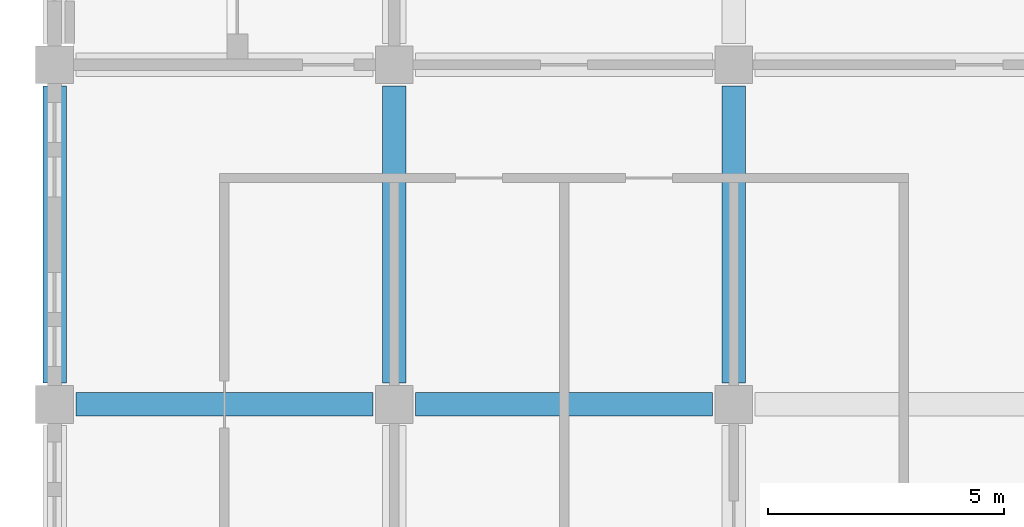
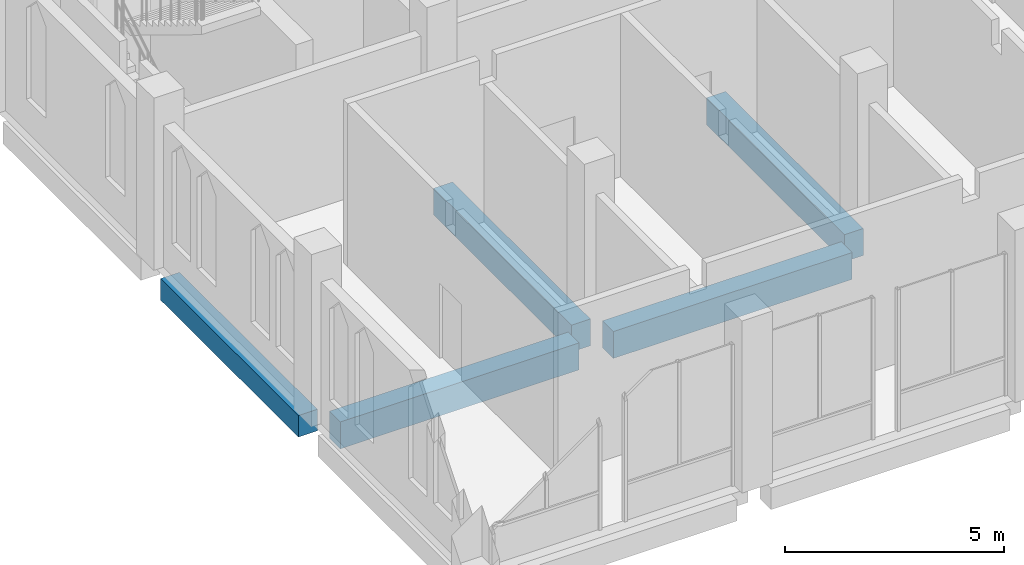
# One storey, part 9 of 31: 5 beams.
"""IFC4 building model written with IfcOpenShell, lengths in metres."""

import ifcopenshell
import ifcopenshell.guid

model = None  # the IFC model being written
_history = None  # IfcOwnerHistory: only IFC2X3 demands one
_inside = {}  # id of a spatial element -> (the spatial element, [elements in it])
_under = {}  # id of a project, library or spatial element -> (it, [spatial elements below it])
_declared = {}  # id of a project -> (the project, [libraries it declares])
_typed = {}  # id of a type object -> (the type object, [elements of that type])
_made_of = {}  # id of a material, layer set ... -> (it, [elements and type objects made of it])


def new_model(schema):
    """Start an empty IFC model of exactly this schema.

    Asked for "IFC4X3", IfcOpenShell would pick the latest addendum, in which some entities
    have other attributes; the version numbers below select the first issue.
    IFC2X3 requires an IfcOwnerHistory on every rooted entity: one is made here for all.
    """
    global model, _history
    if schema == "IFC4X3":
        model = ifcopenshell.file(schema_version=(4, 3, 0, 0))
    else:
        model = ifcopenshell.file(schema=schema)
    _inside.clear()
    _under.clear()
    _declared.clear()
    _typed.clear()
    _made_of.clear()
    _history = None
    if model.schema == "IFC2X3":
        org = make("IfcOrganization", Name="unknown")
        user = make(
            "IfcPersonAndOrganization",
            ThePerson=make("IfcPerson", FamilyName="unknown"),
            TheOrganization=org,
        )
        app = make(
            "IfcApplication",
            ApplicationDeveloper=org,
            Version="unknown",
            ApplicationFullName="unknown",
            ApplicationIdentifier="unknown",
        )
        _history = make(
            "IfcOwnerHistory",
            OwningUser=user,
            OwningApplication=app,
            ChangeAction="ADDED",
            CreationDate=0,
        )
    return model


def make(cls, **values):
    """One entity of the class cls with the attributes given. An attribute that is None is left unset."""
    return model.create_entity(
        cls, **{name: value for name, value in values.items() if value is not None}
    )


def rooted(cls, **values):
    """An entity with a GlobalId (a new one), such as an element, a storey or a relation."""
    return make(cls, GlobalId=ifcopenshell.guid.new(), OwnerHistory=_history, **values)


def si_unit(unit_type, name, prefix=None):
    """IfcSIUnit, for example si_unit("LENGTHUNIT", "METRE", prefix="MILLI")."""
    return make("IfcSIUnit", UnitType=unit_type, Prefix=prefix, Name=name)


def assignment(units):
    """IfcUnitAssignment: the units of a project."""
    return None if units is None else make("IfcUnitAssignment", Units=units)


def point(xyz):
    """IfcCartesianPoint."""
    return None if xyz is None else make("IfcCartesianPoint", Coordinates=xyz)


def direction(xyz):
    """IfcDirection."""
    return None if xyz is None else make("IfcDirection", DirectionRatios=xyz)


def frame(location, z_axis=None, x_axis=None):
    """IfcAxis2Placement3D, a coordinate frame: its origin and axes. An axis left out is left unset."""
    return make(
        "IfcAxis2Placement3D",
        Location=point(location),
        Axis=direction(z_axis),
        RefDirection=direction(x_axis),
    )


def frame_2d(location, x_axis=None):
    """IfcAxis2Placement2D, a coordinate frame in the plane: its origin and x axis."""
    return make(
        "IfcAxis2Placement2D", Location=point(location), RefDirection=direction(x_axis)
    )


def origin():
    """The frame at (0, 0, 0) with its axes left unset."""
    return frame((0.0, 0.0, 0.0))


def origin_2d():
    """The frame at (0, 0) in the plane with its x axis left unset."""
    return frame_2d((0.0, 0.0))


def place(relative_to, where):
    """IfcLocalPlacement: puts the frame where relative to a parent placement (None: the world)."""
    return make(
        "IfcLocalPlacement", PlacementRelTo=relative_to, RelativePlacement=where
    )


def context(
    kind, dimensions, precision=None, world=None, true_north=None, identifier=None
):
    """IfcGeometricRepresentationContext, for example the 3D "Model" context."""
    return make(
        "IfcGeometricRepresentationContext",
        ContextIdentifier=identifier,
        ContextType=kind,
        CoordinateSpaceDimension=dimensions,
        Precision=precision,
        WorldCoordinateSystem=world,
        TrueNorth=true_north,
    )


def subcontext(parent, identifier, kind, view, scale=None):
    """IfcGeometricRepresentationSubContext, for example "Body" below "Model"."""
    return make(
        "IfcGeometricRepresentationSubContext",
        ContextIdentifier=identifier,
        ContextType=kind,
        ParentContext=parent,
        TargetScale=scale,
        TargetView=view,
    )


def project(units=None, contexts=None):
    """IfcProject with its units and contexts."""
    return rooted(
        "IfcProject",
        Name="project",
        RepresentationContexts=contexts,
        UnitsInContext=assignment(units),
    )


def spatial(cls, under=None, at=None, **own):
    """A site, building, storey or space (cls), placed at a placement, below another one or the project."""
    s = rooted(cls, ObjectPlacement=at, **own)
    if under is not None:
        _under.setdefault(under.id(), (under, []))[1].append(s)
    return s


def profile(cls, at=None, kind="AREA", **sizes):
    """A parametric profile (cls). Its sizes go by their IFC names, for example OverallWidth=200.0."""
    return make(cls, ProfileType=kind, Position=at, **sizes)


def rectangle(**sizes):
    """IfcRectangleProfileDef."""
    return profile("IfcRectangleProfileDef", **sizes)


def extrude(swept, where, along, depth):
    """IfcExtrudedAreaSolid: the profile swept, set in the frame where, extruded along a direction by depth."""
    return make(
        "IfcExtrudedAreaSolid",
        SweptArea=swept,
        Position=where,
        ExtrudedDirection=direction(along),
        Depth=depth,
    )


def shape(context_of_items, identifier, shape_type, items):
    """IfcShapeRepresentation: the items that make up one representation, for example the "Body"."""
    return make(
        "IfcShapeRepresentation",
        ContextOfItems=context_of_items,
        RepresentationIdentifier=identifier,
        RepresentationType=shape_type,
        Items=items,
    )


def material(Name=None, Category=None):
    """IfcMaterial."""
    return make("IfcMaterial", Name=Name, Category=Category)


def material_profile(
    of_material, cross_section, Name=None, Category=None, Priority=None
):
    """IfcMaterialProfile: a cross section and its material."""
    return make(
        "IfcMaterialProfile",
        Name=Name,
        Material=of_material,
        Profile=cross_section,
        Priority=Priority,
        Category=Category,
    )


def profile_set(profiles, Name=None, composite=None):
    """IfcMaterialProfileSet."""
    return make(
        "IfcMaterialProfileSet",
        Name=Name,
        MaterialProfiles=profiles,
        CompositeProfile=composite,
    )


def made_of(thing, what):
    """Note that an element or type object is made of a material, layer set ...; save() writes the relation."""
    if what is not None:
        _made_of.setdefault(what.id(), (what, []))[1].append(thing)
    return thing


def type_object(cls, material=None, **own):
    """A type object (cls), such as IfcWallType, which elements share."""
    return made_of(rooted(cls, **own), material)


def element(
    cls,
    number,
    at=None,
    inside=None,
    cuts=None,
    type_object=None,
    material=None,
    context=None,
    identifier="Body",
    shape_type=None,
    held_by="IfcProductDefinitionShape",
    body=None,
    shapes=None,
    **own,
):
    """One element of the class cls, such as IfcWall. Its Tag is "e" and its number.

    at: its placement. inside: the storey or other place that contains it. cuts: it is an
    opening in that element (IfcRelVoidsElement). A single representation is given by context,
    identifier, shape_type and body (its items); several are given by shapes. held_by: the class
    of the entity that holds the representations. save() writes the other relations.
    """
    e = rooted(cls, Tag="e%d" % number, ObjectPlacement=at, **own)
    if body is not None:
        shapes = [shape(context, identifier, shape_type, body)]
    if shapes is not None:
        e.Representation = make(held_by, Representations=shapes)
    if inside is not None:
        _inside.setdefault(inside.id(), (inside, []))[1].append(e)
    if cuts is not None:
        rooted(
            "IfcRelVoidsElement", RelatingBuildingElement=cuts, RelatedOpeningElement=e
        )
    if type_object is not None:
        _typed.setdefault(type_object.id(), (type_object, []))[1].append(e)
    return made_of(e, material)


def aggregate(whole, parts):
    """IfcRelAggregates: a whole, such as a stair, and the parts it consists of."""
    return rooted("IfcRelAggregates", RelatingObject=whole, RelatedObjects=parts)


def save(model, path):
    """Write the relations noted so far, then the file.

    IfcRelAggregates (storeys below a building ...), IfcRelContainedInSpatialStructure (elements
    in a storey), IfcRelDefinesByType, IfcRelAssociatesMaterial and IfcRelDeclares: one each for
    every whole, place, type object, material and project.
    """
    for whole, parts in _under.values():
        aggregate(whole, parts)
    for where, things in _inside.values():
        rooted(
            "IfcRelContainedInSpatialStructure",
            RelatedElements=things,
            RelatingStructure=where,
        )
    for kind, things in _typed.values():
        rooted("IfcRelDefinesByType", RelatedObjects=things, RelatingType=kind)
    for what, things in _made_of.values():
        rooted("IfcRelAssociatesMaterial", RelatedObjects=things, RelatingMaterial=what)
    for by, libraries in _declared.values():
        rooted("IfcRelDeclares", RelatingContext=by, RelatedDefinitions=libraries)
    model.write(path)


model = new_model("IFC4")

# Units and contexts
model_context = context("Model", 3, precision=1e-05, world=origin(), true_north=direction((0.0, 1.0)))
body_context = subcontext(model_context, "Body", "Model", "MODEL_VIEW")
ifc_project = project(units=[si_unit("LENGTHUNIT", "METRE"), si_unit("AREAUNIT", "SQUARE_METRE"), si_unit("VOLUMEUNIT", "CUBIC_METRE"), si_unit("PLANEANGLEUNIT", "RADIAN"), si_unit("MASSUNIT", "GRAM", prefix="KILO")], contexts=[model_context])

# Site, building, storey
site_placement = place(None, origin())
site = spatial("IfcSite", under=ifc_project, at=site_placement, CompositionType="ELEMENT")
building_placement = place(site_placement, origin())
building = spatial("IfcBuilding", under=site, at=building_placement, Name="Silangan Lancet Faculty of Sciences", CompositionType="ELEMENT")
storey_placement = place(building_placement, frame((0.0, 0.0, 36.0)))
storey = spatial("IfcBuildingStorey", under=building, at=storey_placement, Name="L07", CompositionType="ELEMENT", Elevation=36.0)

# Beams
ifc_material_1 = material(Name="Concrete C40/50", Category="concrete")
ifc_material_profile_1 = material_profile(ifc_material_1, rectangle(XDim=0.5, YDim=0.60009765625, at=origin_2d()), Name="RC 500x600")
ifc_profile_set_1 = profile_set([ifc_material_profile_1], Name="Concrete C40/50")
beam_type_1 = type_object("IfcBeamType", Name="BEAM RC 500x600", PredefinedType="BEAM", material=ifc_profile_set_1)
beam_placement = place(storey_placement, frame((0.0, 43.64990234375, -0.550048828125), z_axis=(0.0, 1.0, 0.0), x_axis=(-1.0, 0.0, 0.0)))
element("IfcBeam", 1, at=beam_placement, inside=storey, type_object=beam_type_1, Name="BM-L07-1G-1H", PredefinedType="BEAM", context=body_context, shape_type="SweptSolid", body=[
    extrude(rectangle(XDim=0.5, YDim=0.60009765625, at=origin_2d()), origin(), (0.0, 0.0, 1.0), 6.300048828125),
])
ifc_material_2 = material(Name="Concrete C40/50", Category="concrete")
ifc_material_profile_2 = material_profile(ifc_material_2, rectangle(XDim=0.5, YDim=0.75, at=origin_2d()), Name="RC 500x750")
ifc_profile_set_2 = profile_set([ifc_material_profile_2], Name="Concrete C40/50")
beam_type_2 = type_object("IfcBeamType", Name="BEAM RC 500x750", PredefinedType="BEAM", material=ifc_profile_set_2)
for number, where, z_axis, x_axis, name in (
    (2, (0.449951171875, 43.199951171875, -0.625), (1.0, 0.0, 0.0), (0.0, 1.0, 0.0), "BM-L07-1G-2G"),
    (3, (7.64990234375, 43.199951171875, -0.625), (1.0, 0.0, 0.0), (0.0, 1.0, 0.0), "BM-L07-2G-3G"),
    (4, (7.199951171875, 43.64990234375, -0.625), (0.0, 1.0, 0.0), (-1.0, 0.0, 0.0), "BM-L07-2G-2H"),
    (5, (14.39990234375, 43.64990234375, -0.625), (0.0, 1.0, 0.0), (-1.0, 0.0, 0.0), "BM-L07-3G-3H"),
):
    element("IfcBeam", number, at=place(storey_placement, frame(where, z_axis=z_axis, x_axis=x_axis)), inside=storey, type_object=beam_type_2, Name=name, PredefinedType="BEAM", context=body_context, shape_type="SweptSolid", body=[
        extrude(rectangle(XDim=0.5, YDim=0.75, at=origin_2d()), origin(), (0.0, 0.0, 1.0), 6.300048828125),
    ])

save(model, "model.ifc")
